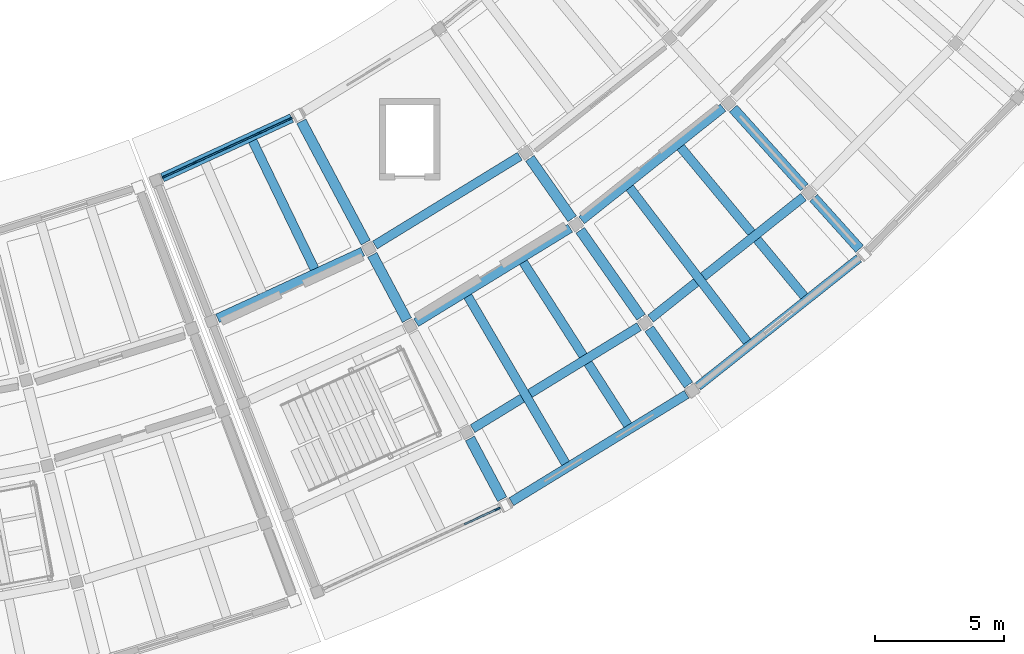
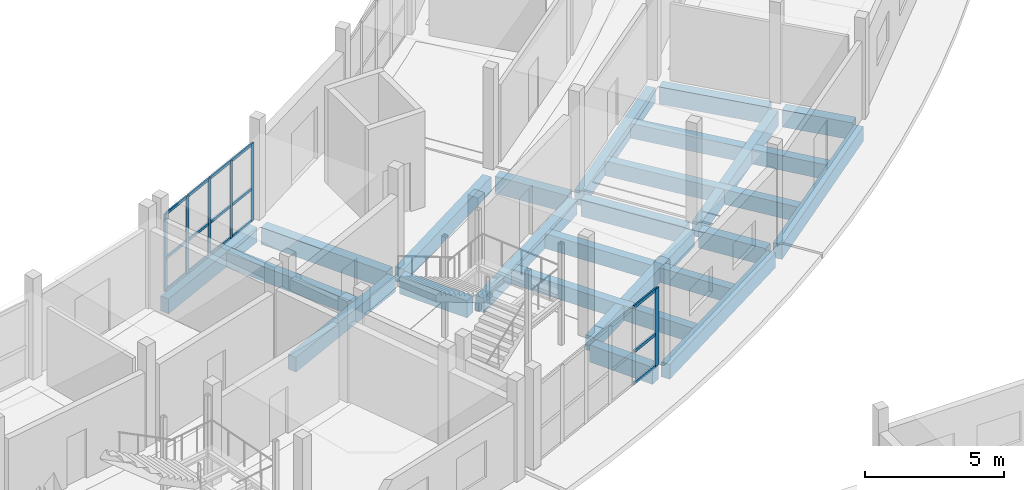
# One storey, part 35 of 92: 22 beams, 21 members, 2 elements without a shape of their own.
"""IFC4 building model written with IfcOpenShell, lengths in metres."""

from ifc_helpers import new_model, si_unit, direction, frame, origin, origin_2d, place, context, subcontext, project, spatial, rectangle, extrude, material, layer, layer_set, material_profile, profile_set, type_object, element, aggregate, save


model = new_model("IFC4")

# Units and contexts
model_context = context("Model", 3, precision=1e-05, world=origin(), true_north=direction((0.0, 1.0)))
body_context = subcontext(model_context, "Body", "Model", "MODEL_VIEW")
ifc_project = project(units=[si_unit("LENGTHUNIT", "METRE"), si_unit("AREAUNIT", "SQUARE_METRE"), si_unit("VOLUMEUNIT", "CUBIC_METRE"), si_unit("PLANEANGLEUNIT", "RADIAN"), si_unit("MASSUNIT", "GRAM", prefix="KILO")], contexts=[model_context])

# Site, building, storey
site_placement = place(None, origin())
site = spatial("IfcSite", under=ifc_project, at=site_placement, CompositionType="ELEMENT")
building_placement = place(site_placement, origin())
building = spatial("IfcBuilding", under=site, at=building_placement, Name="Caldaven Crescent School", CompositionType="ELEMENT")
storey_placement = place(building_placement, origin())
storey = spatial("IfcBuildingStorey", under=building, at=storey_placement, Name="L00", CompositionType="ELEMENT", Elevation=0.0)

# Beams
ifc_material_1 = material(Name="Concrete C30/37", Category="concrete")
ifc_material_profile_1 = material_profile(ifc_material_1, rectangle(XDim=0.35009765625, YDim=0.64990234375, at=origin_2d()), Name="RC 350x650")
ifc_profile_set_1 = profile_set([ifc_material_profile_1], Name="Concrete C30/37")
beam_type_1 = type_object("IfcBeamType", Name="BM-RC35", PredefinedType="BEAM", material=ifc_profile_set_1)
beam_1_placement = place(storey_placement, frame((109.512451171875, 41.830322265625, -0.5849609375), z_axis=(0.908534560686, 0.417809707929, 0.0), x_axis=(-0.417809707929, 0.908534560686, 0.0)))
element("IfcBeam", 1, at=beam_1_placement, inside=storey, type_object=beam_type_1, Name="BMT-V4E-L00-0889", PredefinedType="BEAM", context=body_context, shape_type="SweptSolid", body=[
    extrude(rectangle(XDim=0.35009765625, YDim=0.64990234375, at=origin_2d()), origin(), (0.0, 0.0, 1.0), 6.177490234375),
])
beam_2_placement = place(storey_placement, frame((110.867431640625, 48.694580078125, -0.5849609375), z_axis=(0.435262791013, -0.900303450376, 0.0), x_axis=(0.900303450376, 0.435262791013, 0.0)))
element("IfcBeam", 2, at=beam_2_placement, inside=storey, type_object=beam_type_1, Name="JSR-V4E-L00-0895", PredefinedType="BEAM", context=body_context, shape_type="SweptSolid", body=[
    extrude(rectangle(XDim=0.35009765625, YDim=0.64990234375, at=origin_2d()), origin(), (0.0, 0.0, 1.0), 5.50146484375),
])
beam_3_placement = place(storey_placement, frame((115.600341796875, 44.665283203125, -0.5849609375), z_axis=(0.85264818843, 0.522485470389, 0.0), x_axis=(-0.522485470389, 0.85264818843, 0.0)))
element("IfcBeam", 3, at=beam_3_placement, inside=storey, type_object=beam_type_1, Name="BMT-V4E-L00-0898", PredefinedType="BEAM", context=body_context, shape_type="SweptSolid", body=[
    extrude(rectangle(XDim=0.35009765625, YDim=0.64990234375, at=origin_2d()), origin(), (0.0, 0.0, 1.0), 6.578125),
])
beam_4_placement = place(storey_placement, frame((117.196533203125, 41.663330078125, -0.5849609375), z_axis=(0.852656439145, 0.522472005742, 0.0), x_axis=(-0.522472005742, 0.852656439145, 0.0)))
element("IfcBeam", 4, at=beam_4_placement, inside=storey, type_object=beam_type_1, Name="BMT-V4E-L00-0899", PredefinedType="BEAM", context=body_context, shape_type="SweptSolid", body=[
    extrude(rectangle(XDim=0.35009765625, YDim=0.64990234375, at=origin_2d()), origin(), (0.0, 0.0, 1.0), 6.993408203125),
])
beam_5_placement = place(storey_placement, frame((119.379638671875, 37.5576171875, -0.5849609375), z_axis=(0.852643478739, 0.522493156093, 0.0), x_axis=(-0.522493156093, 0.852643478739, 0.0)))
element("IfcBeam", 5, at=beam_5_placement, inside=storey, type_object=beam_type_1, Name="BMT-V4E-L00-0900", PredefinedType="BEAM", context=body_context, shape_type="SweptSolid", body=[
    extrude(rectangle(XDim=0.35009765625, YDim=0.64990234375, at=origin_2d()), origin(), (0.0, 0.0, 1.0), 7.561279296875),
])
for number, where, z_axis, x_axis, name in (
    (6, (119.193359375, 42.6875, -0.5849609375), (0.505020652466, -0.863107259025, 0.0), (0.863107259025, 0.505020652466, 0.0), "JSR-V4E-L00-0902"),
    (7, (121.34033203125, 44.003173828125, -0.5849609375), (0.539769679184, -0.841812742499, 0.0), (0.841812742499, 0.539769679184, 0.0), "JSR-V4E-L00-0903"),
):
    element("IfcBeam", number, at=place(storey_placement, frame(where, z_axis=z_axis, x_axis=x_axis)), inside=storey, type_object=beam_type_1, Name=name, PredefinedType="BEAM", context=body_context, shape_type="SweptSolid", body=[
        extrude(rectangle(XDim=0.35009765625, YDim=0.64990234375, at=origin_2d()), origin(), (0.0, 0.0, 1.0), 7.4970703125),
    ])
beam_6_placement = place(storey_placement, frame((123.60107421875, 45.62646484375, -0.5849609375), z_axis=(0.782596029023, 0.622529883104, 0.0), x_axis=(-0.622529883104, 0.782596029023, 0.0)))
element("IfcBeam", 8, at=beam_6_placement, inside=storey, type_object=beam_type_1, Name="BMT-V4E-L00-0906", PredefinedType="BEAM", context=body_context, shape_type="SweptSolid", body=[
    extrude(rectangle(XDim=0.35009765625, YDim=0.64990234375, at=origin_2d()), origin(), (0.0, 0.0, 1.0), 6.9931640625),
])
beam_7_placement = place(storey_placement, frame((126.26806640625, 41.8173828125, -0.5849609375), z_axis=(0.782620359771, 0.622499295158, 0.0), x_axis=(-0.622499295158, 0.782620359771, 0.0)))
element("IfcBeam", 9, at=beam_7_placement, inside=storey, type_object=beam_type_1, Name="BMT-V4E-L00-0907", PredefinedType="BEAM", context=body_context, shape_type="SweptSolid", body=[
    extrude(rectangle(XDim=0.35009765625, YDim=0.64990234375, at=origin_2d()), origin(), (0.0, 0.0, 1.0), 7.56103515625),
])
beam_8_placement = place(storey_placement, frame((125.4580078125, 46.886474609375, -0.5849609375), z_axis=(0.606425795799, -0.795140084633, 0.0), x_axis=(0.795140084633, 0.606425795799, 0.0)))
element("IfcBeam", 10, at=beam_8_placement, inside=storey, type_object=beam_type_1, Name="JSR-V4E-L00-0910", PredefinedType="BEAM", context=body_context, shape_type="SweptSolid", body=[
    extrude(rectangle(XDim=0.35009765625, YDim=0.64990234375, at=origin_2d()), origin(), (0.0, 0.0, 1.0), 7.4970703125),
])
beam_9_placement = place(storey_placement, frame((127.4287109375, 48.453857421875, -0.5849609375), z_axis=(0.638347164684, -0.769748593594, 0.0), x_axis=(0.769748593594, 0.638347164684, 0.0)))
element("IfcBeam", 11, at=beam_9_placement, inside=storey, type_object=beam_type_1, Name="JSR-V4E-L00-0912", PredefinedType="BEAM", context=body_context, shape_type="SweptSolid", body=[
    extrude(rectangle(XDim=0.35009765625, YDim=0.64990234375, at=origin_2d()), origin(), (0.0, 0.0, 1.0), 7.496826171875),
])
ifc_material_2 = material(Name="Concrete C35/45", Category="concrete")
ifc_material_profile_2 = material_profile(ifc_material_2, rectangle(XDim=0.39990234375, YDim=0.75, at=origin_2d()), Name="RC 400x750")
ifc_profile_set_2 = profile_set([ifc_material_profile_2], Name="Concrete C35/45")
beam_type_2 = type_object("IfcBeamType", Name="BM-RC40", PredefinedType="BEAM", material=ifc_profile_set_2)
beam_10_placement = place(storey_placement, frame((112.75048828125, 49.450927734375, -0.635009765625), z_axis=(0.469473429322, -0.882946600402, 0.0), x_axis=(0.882946600402, 0.469473429322, 0.0)))
element("IfcBeam", 12, at=beam_10_placement, inside=storey, type_object=beam_type_2, Name="BMR-V4E-L00-0868", PredefinedType="BEAM", context=body_context, shape_type="SweptSolid", body=[
    extrude(rectangle(XDim=0.39990234375, YDim=0.75, at=origin_2d()), origin(), (0.0, 0.0, 1.0), 5.31005859375),
])
beam_11_placement = place(storey_placement, frame((115.4970703125, 44.28564453125, -0.635009765625), z_axis=(0.469440239295, -0.882964247142, 0.0), x_axis=(0.882964247142, 0.469440239295, 0.0)))
element("IfcBeam", 13, at=beam_11_placement, inside=storey, type_object=beam_type_2, Name="BMR-V4E-L00-0869", PredefinedType="BEAM", context=body_context, shape_type="SweptSolid", body=[
    extrude(rectangle(XDim=0.39990234375, YDim=0.75, at=origin_2d()), origin(), (0.0, 0.0, 1.0), 2.85986328125),
])
beam_12_placement = place(storey_placement, frame((119.276123046875, 37.177978515625, -0.635009765625), z_axis=(0.469468362012, -0.882949294733, 0.0), x_axis=(0.882949294733, 0.469468362012, 0.0)))
element("IfcBeam", 14, at=beam_12_placement, inside=storey, type_object=beam_type_2, Name="BMR-V4E-L00-0871", PredefinedType="BEAM", context=body_context, shape_type="SweptSolid", body=[
    extrude(rectangle(XDim=0.39990234375, YDim=0.75, at=origin_2d()), origin(), (0.0, 0.0, 1.0), 2.659912109375),
])
beam_13_placement = place(storey_placement, frame((121.594482421875, 48.022216796875, -0.635009765625), z_axis=(0.573565464969, -0.819159726424, 0.0), x_axis=(0.819159726424, 0.573565464969, 0.0)))
element("IfcBeam", 15, at=beam_13_placement, inside=storey, type_object=beam_type_2, Name="BMR-V4E-L00-0873", PredefinedType="BEAM", context=body_context, shape_type="SweptSolid", body=[
    extrude(rectangle(XDim=0.39990234375, YDim=0.75, at=origin_2d()), origin(), (0.0, 0.0, 1.0), 2.85986328125),
])
beam_14_placement = place(storey_placement, frame((123.54443359375, 45.237060546875, -0.635009765625), z_axis=(0.573581938808, -0.8191481914, 0.0), x_axis=(0.8191481914, 0.573581938808, 0.0)))
element("IfcBeam", 16, at=beam_14_placement, inside=storey, type_object=beam_type_2, Name="BMR-V4E-L00-0874", PredefinedType="BEAM", context=body_context, shape_type="SweptSolid", body=[
    extrude(rectangle(XDim=0.39990234375, YDim=0.75, at=origin_2d()), origin(), (0.0, 0.0, 1.0), 4.110107421875),
])
beam_15_placement = place(storey_placement, frame((126.211669921875, 41.427978515625, -0.635009765625), z_axis=(0.573597865884, -0.81913703875, 0.0), x_axis=(0.81913703875, 0.573597865884, 0.0)))
element("IfcBeam", 17, at=beam_15_placement, inside=storey, type_object=beam_type_2, Name="BMR-V4E-L00-0875", PredefinedType="BEAM", context=body_context, shape_type="SweptSolid", body=[
    extrude(rectangle(XDim=0.39990234375, YDim=0.75, at=origin_2d()), origin(), (0.0, 0.0, 1.0), 2.65966796875),
])
beam_16_placement = place(storey_placement, frame((129.466064453125, 49.947265625, -0.635009765625), z_axis=(0.669128815296, -0.743146438153, 0.0), x_axis=(0.743146438153, 0.669128815296, 0.0)))
element("IfcBeam", 18, at=beam_16_placement, inside=storey, type_object=beam_type_2, Name="BMR-V4E-L00-0878", PredefinedType="BEAM", context=body_context, shape_type="SweptSolid", body=[
    extrude(rectangle(XDim=0.39990234375, YDim=0.75, at=origin_2d()), origin(), (0.0, 0.0, 1.0), 4.10986328125),
])
beam_17_placement = place(storey_placement, frame((132.577392578125, 46.49169921875, -0.635009765625), z_axis=(0.669152322498, -0.743125271604, 0.0), x_axis=(0.743125271604, 0.669152322498, 0.0)))
element("IfcBeam", 19, at=beam_17_placement, inside=storey, type_object=beam_type_2, Name="BMR-V4E-L00-0879", PredefinedType="BEAM", context=body_context, shape_type="SweptSolid", body=[
    extrude(rectangle(XDim=0.39990234375, YDim=0.75, at=origin_2d()), origin(), (0.0, 0.0, 1.0), 2.66015625),
])

# Curtain wall, members
ifc_material_3 = material(Name="Anodised aluminium AA 6063-T6 and low-E double glazing", Category="aluminium")
ifc_layer_1 = layer(ifc_material_3, 0.169921875)
ifc_layer_set_1 = layer_set([ifc_layer_1], Name="Anodised aluminium AA 6063-T6 and low-E double glazing")
curtain_wall_type_1 = type_object("IfcCurtainWallType", Name="CW-SYS1", PredefinedType="NOTDEFINED", material=ifc_layer_set_1)
curtain_wall_1_placement = place(storey_placement, origin())
curtain_wall_1 = element("IfcCurtainWall", 20, at=curtain_wall_1_placement, inside=storey, type_object=curtain_wall_type_1, Name="CW-L00-112", PredefinedType="NOTDEFINED")
ifc_material_4 = material(Name="Anodised aluminium AA 6063-T6", Category="aluminium")
ifc_material_profile_3 = material_profile(ifc_material_4, rectangle(XDim=0.06005859375, YDim=0.14990234375, at=origin_2d()), Name="CWM 60x150")
ifc_profile_set_3 = profile_set([ifc_material_profile_3], Name="Anodised aluminium AA 6063-T6")
member_type_1 = type_object("IfcMemberType", Name="CWM-T1", PredefinedType="MULLION", material=ifc_profile_set_3)
member_1_placement = place(storey_placement, frame((107.432861328125, 47.30224609375, 0.0), z_axis=(0.0, 0.0, 1.0), x_axis=(-0.417824094306, 0.908527944654, 0.0)))
member_1 = element("IfcMember", 21, at=member_1_placement, type_object=member_type_1, Name="CW1 mullion 1", PredefinedType="MULLION", context=body_context, shape_type="SweptSolid", body=[
    extrude(rectangle(XDim=0.06005859375, YDim=0.14990234375, at=origin_2d()), origin(), (0.0, 0.0, 1.0), 3.39990234375),
])
member_2_placement = place(storey_placement, frame((108.64208984375, 47.858154296875, 0.0), z_axis=(0.0, 0.0, 1.0), x_axis=(-0.417824094306, 0.908527944654, 0.0)))
member_2 = element("IfcMember", 22, at=member_2_placement, type_object=member_type_1, Name="CW1 mullion 2", PredefinedType="MULLION", context=body_context, shape_type="SweptSolid", body=[
    extrude(rectangle(XDim=0.06005859375, YDim=0.14990234375, at=origin_2d()), origin(), (0.0, 0.0, 1.0), 3.39990234375),
])
member_3_placement = place(storey_placement, frame((109.87841796875, 48.4267578125, 0.0), z_axis=(0.0, 0.0, 1.0), x_axis=(-0.417824094306, 0.908527944654, 0.0)))
member_3 = element("IfcMember", 23, at=member_3_placement, type_object=member_type_1, Name="CW1 mullion 3", PredefinedType="MULLION", context=body_context, shape_type="SweptSolid", body=[
    extrude(rectangle(XDim=0.06005859375, YDim=0.14990234375, at=origin_2d()), origin(), (0.0, 0.0, 1.0), 3.39990234375),
])
member_4_placement = place(storey_placement, frame((111.11474609375, 48.995361328125, 0.0), z_axis=(0.0, 0.0, 1.0), x_axis=(-0.417824094306, 0.908527944654, 0.0)))
member_4 = element("IfcMember", 24, at=member_4_placement, type_object=member_type_1, Name="CW1 mullion 4", PredefinedType="MULLION", context=body_context, shape_type="SweptSolid", body=[
    extrude(rectangle(XDim=0.06005859375, YDim=0.14990234375, at=origin_2d()), origin(), (0.0, 0.0, 1.0), 3.39990234375),
])
member_5_placement = place(storey_placement, frame((112.323974609375, 49.551513671875, 0.0), z_axis=(0.0, 0.0, 1.0), x_axis=(-0.417824094306, 0.908527944654, 0.0)))
member_5 = element("IfcMember", 25, at=member_5_placement, type_object=member_type_1, Name="CW1 mullion 5", PredefinedType="MULLION", context=body_context, shape_type="SweptSolid", body=[
    extrude(rectangle(XDim=0.06005859375, YDim=0.14990234375, at=origin_2d()), origin(), (0.0, 0.0, 1.0), 3.39990234375),
])

# Curtain wall, member
ifc_layer_2 = layer(ifc_material_3, 0.2099609375)
ifc_layer_set_2 = layer_set([ifc_layer_2], Name="Anodised aluminium AA 6063-T6 and low-E double glazing")
curtain_wall_type_2 = type_object("IfcCurtainWallType", Name="CW-SYS3", PredefinedType="NOTDEFINED", material=ifc_layer_set_2)
curtain_wall_2_placement = place(storey_placement, origin())
curtain_wall_2 = element("IfcCurtainWall", 26, at=curtain_wall_2_placement, inside=storey, type_object=curtain_wall_type_2, Name="CW-L00-113", PredefinedType="NOTDEFINED")
ifc_material_profile_4 = material_profile(ifc_material_4, rectangle(XDim=0.070068359375, YDim=0.2099609375, at=origin_2d()), Name="CWM 70x210")
ifc_profile_set_4 = profile_set([ifc_material_profile_4], Name="Anodised aluminium AA 6063-T6")
member_type_2 = type_object("IfcMemberType", Name="CWM-T3", PredefinedType="MULLION", material=ifc_profile_set_4)
member_6_placement = place(storey_placement, frame((120.347412109375, 34.450927734375, 0.0), z_axis=(0.0, 0.0, 1.0), x_axis=(-0.417823425339, 0.908528252306, 0.0)))
member_6 = element("IfcMember", 27, at=member_6_placement, type_object=member_type_2, Name="CW3 mullion 6", PredefinedType="MULLION", context=body_context, shape_type="SweptSolid", body=[
    extrude(rectangle(XDim=0.070068359375, YDim=0.2099609375, at=origin_2d()), origin(), (0.0, 0.0, 1.0), 3.39990234375),
])

# Member
ifc_material_profile_5 = material_profile(ifc_material_4, rectangle(XDim=0.06005859375, YDim=0.1201171875, at=origin_2d()), Name="CWT 60x120")
ifc_profile_set_5 = profile_set([ifc_material_profile_5], Name="Anodised aluminium AA 6063-T6")
member_type_3 = type_object("IfcMemberType", Name="CWT-T1", PredefinedType="USERDEFINED", material=ifc_profile_set_5)
member_7_placement = place(storey_placement, frame((107.460205078125, 47.314697265625, 0.030029296875), z_axis=(0.908515250434, 0.417851695854, 0.0), x_axis=(-0.417851695854, 0.908515250434, 0.0)))
member_7 = element("IfcMember", 28, at=member_7_placement, type_object=member_type_3, Name="CW1 transom 1.1", ObjectType="TRANSOM", PredefinedType="USERDEFINED", context=body_context, shape_type="SweptSolid", body=[
    extrude(rectangle(XDim=0.06005859375, YDim=0.1201171875, at=origin_2d()), origin(), (0.0, 0.0, 1.0), 1.270751953125),
])

member_8_placement = place(storey_placement, frame((107.460205078125, 47.314697265625, 1.427978515625), z_axis=(0.908515250434, 0.417851695854, 0.0), x_axis=(-0.417851695854, 0.908515250434, 0.0)))
member_8 = element("IfcMember", 29, at=member_8_placement, type_object=member_type_3, Name="CW1 transom 1.2", ObjectType="TRANSOM", PredefinedType="USERDEFINED", context=body_context, shape_type="SweptSolid", body=[
    extrude(rectangle(XDim=0.06005859375, YDim=0.1201171875, at=origin_2d()), origin(), (0.0, 0.0, 1.0), 1.270751953125),
])

member_9_placement = place(storey_placement, frame((107.460205078125, 47.314697265625, 3.3701171875), z_axis=(0.908515250434, 0.417851695854, 0.0), x_axis=(-0.417851695854, 0.908515250434, 0.0)))
member_9 = element("IfcMember", 30, at=member_9_placement, type_object=member_type_3, Name="CW1 transom 1.3", ObjectType="TRANSOM", PredefinedType="USERDEFINED", context=body_context, shape_type="SweptSolid", body=[
    extrude(rectangle(XDim=0.06005859375, YDim=0.1201171875, at=origin_2d()), origin(), (0.0, 0.0, 1.0), 1.270751953125),
])

member_10_placement = place(storey_placement, frame((108.669189453125, 47.870849609375, 0.030029296875), z_axis=(0.908551721901, 0.417772388546, 0.0), x_axis=(-0.417772388546, 0.908551721901, 0.0)))
member_10 = element("IfcMember", 31, at=member_10_placement, type_object=member_type_3, Name="CW1 transom 2.1", ObjectType="TRANSOM", PredefinedType="USERDEFINED", context=body_context, shape_type="SweptSolid", body=[
    extrude(rectangle(XDim=0.06005859375, YDim=0.1201171875, at=origin_2d()), origin(), (0.0, 0.0, 1.0), 1.30078125),
])

member_11_placement = place(storey_placement, frame((108.669189453125, 47.870849609375, 1.427978515625), z_axis=(0.908551721901, 0.417772388546, 0.0), x_axis=(-0.417772388546, 0.908551721901, 0.0)))
member_11 = element("IfcMember", 32, at=member_11_placement, type_object=member_type_3, Name="CW1 transom 2.2", ObjectType="TRANSOM", PredefinedType="USERDEFINED", context=body_context, shape_type="SweptSolid", body=[
    extrude(rectangle(XDim=0.06005859375, YDim=0.1201171875, at=origin_2d()), origin(), (0.0, 0.0, 1.0), 1.30078125),
])

member_12_placement = place(storey_placement, frame((108.669189453125, 47.870849609375, 3.3701171875), z_axis=(0.908551721901, 0.417772388546, 0.0), x_axis=(-0.417772388546, 0.908551721901, 0.0)))
member_12 = element("IfcMember", 33, at=member_12_placement, type_object=member_type_3, Name="CW1 transom 2.3", ObjectType="TRANSOM", PredefinedType="USERDEFINED", context=body_context, shape_type="SweptSolid", body=[
    extrude(rectangle(XDim=0.06005859375, YDim=0.1201171875, at=origin_2d()), origin(), (0.0, 0.0, 1.0), 1.30078125),
])

member_13_placement = place(storey_placement, frame((109.90576171875, 48.439453125, 0.030029296875), z_axis=(0.908551721901, 0.417772388546, 0.0), x_axis=(-0.417772388546, 0.908551721901, 0.0)))
member_13 = element("IfcMember", 34, at=member_13_placement, type_object=member_type_3, Name="CW1 transom 3.1", ObjectType="TRANSOM", PredefinedType="USERDEFINED", context=body_context, shape_type="SweptSolid", body=[
    extrude(rectangle(XDim=0.06005859375, YDim=0.1201171875, at=origin_2d()), origin(), (0.0, 0.0, 1.0), 1.30078125),
])

member_14_placement = place(storey_placement, frame((109.90576171875, 48.439453125, 1.427978515625), z_axis=(0.908551721901, 0.417772388546, 0.0), x_axis=(-0.417772388546, 0.908551721901, 0.0)))
member_14 = element("IfcMember", 35, at=member_14_placement, type_object=member_type_3, Name="CW1 transom 3.2", ObjectType="TRANSOM", PredefinedType="USERDEFINED", context=body_context, shape_type="SweptSolid", body=[
    extrude(rectangle(XDim=0.06005859375, YDim=0.1201171875, at=origin_2d()), origin(), (0.0, 0.0, 1.0), 1.30078125),
])

member_15_placement = place(storey_placement, frame((109.90576171875, 48.439453125, 3.3701171875), z_axis=(0.908551721901, 0.417772388546, 0.0), x_axis=(-0.417772388546, 0.908551721901, 0.0)))
member_15 = element("IfcMember", 36, at=member_15_placement, type_object=member_type_3, Name="CW1 transom 3.3", ObjectType="TRANSOM", PredefinedType="USERDEFINED", context=body_context, shape_type="SweptSolid", body=[
    extrude(rectangle(XDim=0.06005859375, YDim=0.1201171875, at=origin_2d()), origin(), (0.0, 0.0, 1.0), 1.30078125),
])

member_16_placement = place(storey_placement, frame((111.14208984375, 49.008056640625, 0.030029296875), z_axis=(0.908515250434, 0.417851695854, 0.0), x_axis=(-0.417851695854, 0.908515250434, 0.0)))
member_16 = element("IfcMember", 37, at=member_16_placement, type_object=member_type_3, Name="CW1 transom 4.1", ObjectType="TRANSOM", PredefinedType="USERDEFINED", context=body_context, shape_type="SweptSolid", body=[
    extrude(rectangle(XDim=0.06005859375, YDim=0.1201171875, at=origin_2d()), origin(), (0.0, 0.0, 1.0), 1.270751953125),
])

member_17_placement = place(storey_placement, frame((111.14208984375, 49.008056640625, 1.427978515625), z_axis=(0.908515250434, 0.417851695854, 0.0), x_axis=(-0.417851695854, 0.908515250434, 0.0)))
member_17 = element("IfcMember", 38, at=member_17_placement, type_object=member_type_3, Name="CW1 transom 4.2", ObjectType="TRANSOM", PredefinedType="USERDEFINED", context=body_context, shape_type="SweptSolid", body=[
    extrude(rectangle(XDim=0.06005859375, YDim=0.1201171875, at=origin_2d()), origin(), (0.0, 0.0, 1.0), 1.270751953125),
])

member_18_placement = place(storey_placement, frame((111.14208984375, 49.008056640625, 3.3701171875), z_axis=(0.908515250434, 0.417851695854, 0.0), x_axis=(-0.417851695854, 0.908515250434, 0.0)))
member_18 = element("IfcMember", 39, at=member_18_placement, type_object=member_type_3, Name="CW1 transom 4.3", ObjectType="TRANSOM", PredefinedType="USERDEFINED", context=body_context, shape_type="SweptSolid", body=[
    extrude(rectangle(XDim=0.06005859375, YDim=0.1201171875, at=origin_2d()), origin(), (0.0, 0.0, 1.0), 1.270751953125),
])

aggregate(curtain_wall_1, [member_1, member_2, member_3, member_4, member_5, member_7, member_8, member_9, member_10, member_11, member_12, member_13, member_14, member_15, member_16, member_17, member_18])

ifc_material_profile_6 = material_profile(ifc_material_4, rectangle(XDim=0.06494140625, YDim=0.139892578125, at=origin_2d()), Name="CWT 65x140")
ifc_profile_set_6 = profile_set([ifc_material_profile_6], Name="Anodised aluminium AA 6063-T6")
member_type_4 = type_object("IfcMemberType", Name="CWT-T2", PredefinedType="USERDEFINED", material=ifc_profile_set_6)
member_19_placement = place(storey_placement, frame((119.06396484375, 33.86083984375, 0.032470703125), z_axis=(0.908518707105, 0.417844180096, 0.0), x_axis=(-0.417844180096, 0.908518707105, 0.0)))
member_19 = element("IfcMember", 40, at=member_19_placement, type_object=member_type_4, Name="CW3 transom 5.1", ObjectType="TRANSOM", PredefinedType="USERDEFINED", context=body_context, shape_type="SweptSolid", body=[
    extrude(rectangle(XDim=0.06494140625, YDim=0.139892578125, at=origin_2d()), origin(), (0.0, 0.0, 1.0), 1.377685546875),
])

member_20_placement = place(storey_placement, frame((119.06396484375, 33.86083984375, 1.427978515625), z_axis=(0.908518707105, 0.417844180096, 0.0), x_axis=(-0.417844180096, 0.908518707105, 0.0)))
member_20 = element("IfcMember", 41, at=member_20_placement, type_object=member_type_4, Name="CW3 transom 5.2", ObjectType="TRANSOM", PredefinedType="USERDEFINED", context=body_context, shape_type="SweptSolid", body=[
    extrude(rectangle(XDim=0.06494140625, YDim=0.139892578125, at=origin_2d()), origin(), (0.0, 0.0, 1.0), 1.377685546875),
])

member_21_placement = place(storey_placement, frame((119.06396484375, 33.86083984375, 3.367431640625), z_axis=(0.908518707105, 0.417844180096, 0.0), x_axis=(-0.417844180096, 0.908518707105, 0.0)))
member_21 = element("IfcMember", 42, at=member_21_placement, type_object=member_type_4, Name="CW3 transom 5.3", ObjectType="TRANSOM", PredefinedType="USERDEFINED", context=body_context, shape_type="SweptSolid", body=[
    extrude(rectangle(XDim=0.06494140625, YDim=0.139892578125, at=origin_2d()), origin(), (0.0, 0.0, 1.0), 1.377685546875),
])

aggregate(curtain_wall_2, [member_6, member_19, member_20, member_21])

# Beams
ifc_material_profile_7 = material_profile(ifc_material_1, rectangle(XDim=0.35009765625, YDim=0.64990234375, at=origin_2d()), Name="RC 350x650")
ifc_profile_set_7 = profile_set([ifc_material_profile_7], Name="Concrete C30/37")
beam_type_3 = type_object("IfcBeamType", Name="SP-RC35", PredefinedType="SPANDREL", material=ifc_profile_set_7)
beam_18_placement = place(storey_placement, frame((107.37841796875, 47.277099609375, -0.5849609375), z_axis=(0.908520766573, 0.417839702166, 0.0), x_axis=(-0.417839702166, 0.908520766573, 0.0)))
element("IfcBeam", 43, at=beam_18_placement, inside=storey, type_object=beam_type_3, Name="BMT-V4E-L00-0888", PredefinedType="SPANDREL", context=body_context, shape_type="SweptSolid", body=[
    extrude(rectangle(XDim=0.35009765625, YDim=0.64990234375, at=origin_2d()), origin(), (0.0, 0.0, 1.0), 5.50341796875),
])
for number, where, z_axis, x_axis, name in (
    (44, (120.882080078125, 34.732177734375, -0.5849609375), (0.852641404784, 0.522496540514, 0.0), (-0.522496540514, 0.852641404784, 0.0), "BMT-V4E-L00-0901"),
    (45, (128.103515625, 39.196044921875, -0.5849609375), (0.782603093873, 0.622521001623, 0.0), (-0.622521001623, 0.782603093873, 0.0), "BMT-V4E-L00-0908"),
):
    element("IfcBeam", number, at=place(storey_placement, frame(where, z_axis=z_axis, x_axis=x_axis)), inside=storey, type_object=beam_type_3, Name=name, PredefinedType="SPANDREL", context=body_context, shape_type="SweptSolid", body=[
        extrude(rectangle(XDim=0.35009765625, YDim=0.64990234375, at=origin_2d()), origin(), (0.0, 0.0, 1.0), 7.951904296875),
    ])

save(model, "model.ifc")
